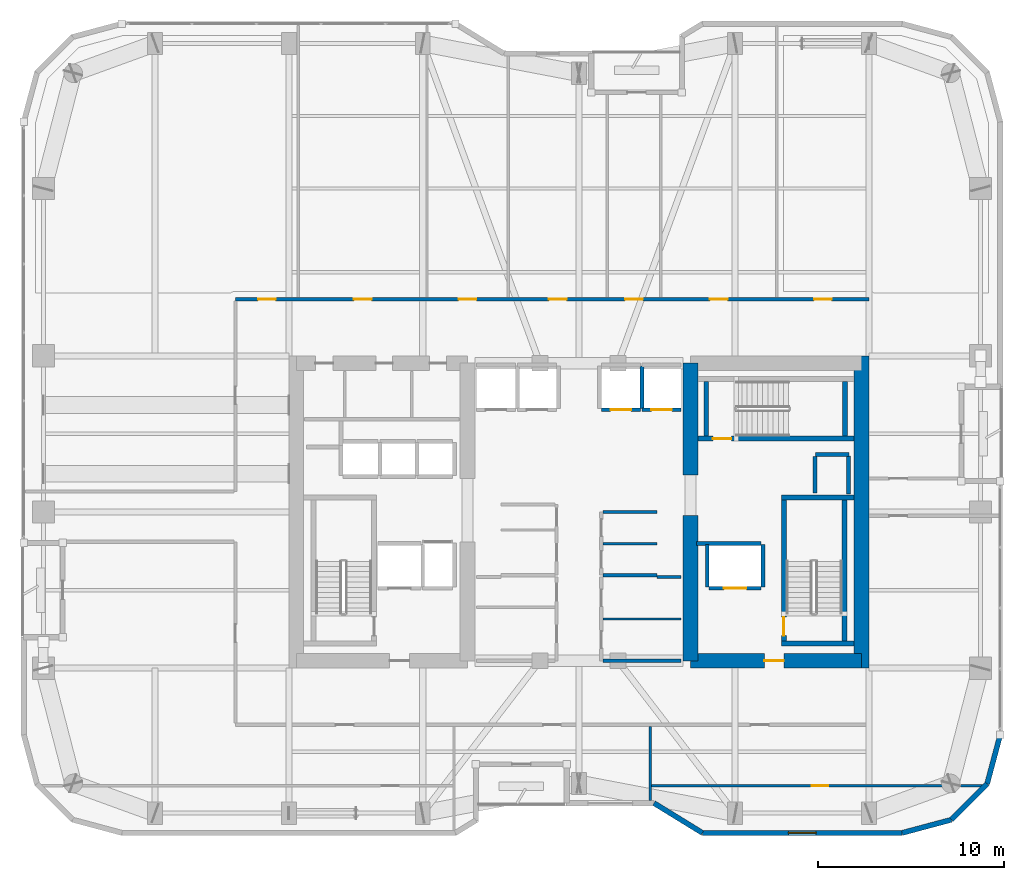
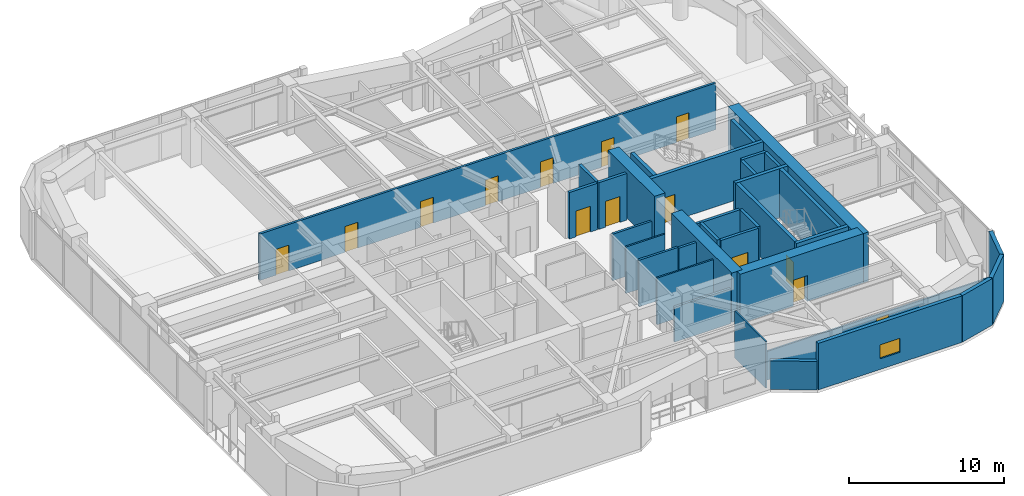
# One storey, part 26 of 30: 35 walls, 14 doors, 1 window, 15 openings.
"""IFC4 building model written with IfcOpenShell, lengths in metres."""

from ifc_helpers import new_model, si_unit, direction, frame, frame_2d, origin, place, context, subcontext, project, spatial, rectangle, extrude, material, layer, layer_set, type_object, element, fill, save


model = new_model("IFC4")

# Units and contexts
model_context = context("Model", 3, precision=1e-05, world=origin(), true_north=direction((0.0, 1.0)))
body_context = subcontext(model_context, "Body", "Model", "MODEL_VIEW")
ifc_project = project(units=[si_unit("LENGTHUNIT", "METRE"), si_unit("AREAUNIT", "SQUARE_METRE"), si_unit("VOLUMEUNIT", "CUBIC_METRE"), si_unit("PLANEANGLEUNIT", "RADIAN"), si_unit("MASSUNIT", "GRAM", prefix="KILO")], contexts=[model_context])

# Site, building, storey
site_placement = place(None, origin())
site = spatial("IfcSite", under=ifc_project, at=site_placement, CompositionType="ELEMENT")
building_placement = place(site_placement, origin())
building = spatial("IfcBuilding", under=site, at=building_placement, Name="Kiyonajd Concourse Tower", CompositionType="ELEMENT")
storey_placement = place(building_placement, frame((0.0, 0.0, 177.89990234375)))
storey = spatial("IfcBuildingStorey", under=building, at=storey_placement, Name="L45", CompositionType="ELEMENT", Elevation=177.89990234375)

# Walls
ifc_material_1 = material(Name="Concrete C70/85", Category="concrete")
ifc_layer_1 = layer(ifc_material_1, 0.800048828125)
ifc_layer_set_1 = layer_set([ifc_layer_1], Name="Concrete C70/85")
wall_type_1 = type_object("IfcWallType", Name="WL-CORE-800", PredefinedType="SHEAR", material=ifc_layer_set_1)
wall_1_placement = place(storey_placement, frame((54.0, 28.0, 0.0), z_axis=(0.0, 0.0, 1.0), x_axis=(0.0, 1.0, 0.0)))
element("IfcWall", 1, at=wall_1_placement, inside=storey, type_object=wall_type_1, Name="L45 East Core Inner South Shear Wall", PredefinedType="SHEAR", context=body_context, shape_type="SweptSolid", body=[
    extrude(rectangle(XDim=7.800048828125, YDim=0.800048828125, at=frame_2d((3.89990234375, 0.0))), origin(), (0.0, 0.0, 1.0), 3.900146484375),
])
wall_2_placement = place(storey_placement, frame((54.0, 38.0, 0.0), z_axis=(0.0, 0.0, 1.0), x_axis=(0.0, 1.0, 0.0)))
element("IfcWall", 2, at=wall_2_placement, inside=storey, type_object=wall_type_1, Name="L45 East Core Inner North Shear Wall", PredefinedType="SHEAR", context=body_context, shape_type="SweptSolid", body=[
    extrude(rectangle(XDim=6.0, YDim=0.800048828125, at=frame_2d((3.0, 0.0))), origin(), (0.0, 0.0, 1.0), 3.900146484375),
])
wall_3_placement = place(storey_placement, frame((63.199951171875, 27.60009765625, 0.0), z_axis=(0.0, 0.0, 1.0), x_axis=(0.0, 1.0, 0.0)))
element("IfcWall", 3, at=wall_3_placement, inside=storey, type_object=wall_type_1, Name="L45 East Core Outer Shear Wall", PredefinedType="SHEAR", context=body_context, shape_type="SweptSolid", body=[
    extrude(rectangle(XDim=16.7998046875, YDim=0.800048828125, at=frame_2d((8.39990234375, 0.0))), origin(), (0.0, 0.0, 1.0), 3.900146484375),
])

# Wall, opening, door
wall_4_placement = place(storey_placement, frame((54.0, 28.0, 0.0), z_axis=(0.0, 0.0, 1.0), x_axis=(1.0, 0.0, 0.0)))
wall_4 = element("IfcWall", 4, at=wall_4_placement, inside=storey, type_object=wall_type_1, Name="L45 East Core South Shear Wall", PredefinedType="SHEAR", context=body_context, shape_type="SweptSolid", body=[
    extrude(rectangle(XDim=9.199951171875, YDim=0.800048828125, at=frame_2d((4.60009765625, 0.0))), origin(), (0.0, 0.0, 1.0), 3.900146484375),
])
opening_1_placement = place(wall_4_placement, frame((3.97509765625, 0.0, 0.0)))
opening_1 = element("IfcOpeningElement", 5, at=opening_1_placement, cuts=wall_4, Name="Opening DF5", PredefinedType="OPENING", context=body_context, shape_type="SweptSolid", body=[
    extrude(rectangle(XDim=1.050048828125, YDim=2.0400390625, at=frame_2d((0.52490234375, 1.02001953125))), frame((0.0, 0.409912109375, 0.0), z_axis=(0.0, -1.0, 0.0), x_axis=(1.0, 0.0, 0.0)), (0.0, 0.0, 1.0), 0.820068359375),
])
ifc_material_2 = material(Name="Brushed Stainless Steel Cab Assembly", Category="steel")
door_type_1 = type_object("IfcDoorType", Name="DR-FD45-1050", OperationType="NOTDEFINED", PredefinedType="DOOR", material=ifc_material_2)
door_1_placement = place(opening_1_placement, origin())
door_1 = element("IfcDoor", 6, at=door_1_placement, inside=storey, type_object=door_type_1, Name="L45 Firefighting Lift Lobby E Smoke Door", OperationType="SINGLE_SWING_RIGHT", OverallHeight=2.0400390625, OverallWidth=1.050048828125, PredefinedType="DOOR", context=body_context, shape_type="SweptSolid", body=[
    extrude(rectangle(XDim=1.050048828125, YDim=2.0400390625, at=frame_2d((0.52490234375, 1.02001953125))), frame((0.0, 0.02490234375, 0.0), z_axis=(0.0, -1.0, 0.0), x_axis=(1.0, 0.0, 0.0)), (0.0, 0.0, 1.0), 0.050048828125),
])
fill(opening_1, door_1)

# Walls
ifc_material_3 = material(Name="Precast concrete C50/60", Category="concrete")
ifc_layer_2 = layer(ifc_material_3, 0.280029296875)
ifc_layer_set_2 = layer_set([ifc_layer_2], Name="Precast concrete C50/60")
wall_type_2 = type_object("IfcWallType", Name="WL-EXT-280", PredefinedType="SOLIDWALL", material=ifc_layer_set_2)
wall_5_placement = place(storey_placement, frame((70.659912109375, 24.018310546875, 0.0), z_axis=(0.0, 0.0, 1.0), x_axis=(-0.258672222976, -0.9659651552, 0.0)))
element("IfcWall", 7, at=wall_5_placement, inside=storey, type_object=wall_type_2, Name="L45 Exterior Concrete Frame Wall 25", PredefinedType="SOLIDWALL", context=body_context, shape_type="SweptSolid", body=[
    extrude(rectangle(XDim=2.739013671875, YDim=0.280029296875, at=frame_2d((1.36962890625, 0.0))), origin(), (0.0, 0.0, 1.0), 3.68017578125),
])
wall_6_placement = place(storey_placement, frame((69.951416015625, 21.37255859375, 0.0), z_axis=(0.0, 0.0, 1.0), x_axis=(-0.707061915429, -0.707151644098, 0.0)))
element("IfcWall", 8, at=wall_6_placement, inside=storey, type_object=wall_type_2, Name="L45 Exterior Concrete Frame Wall 26", PredefinedType="SOLIDWALL", context=body_context, shape_type="SweptSolid", body=[
    extrude(rectangle(XDim=2.720947265625, YDim=0.280029296875, at=frame_2d((1.3603515625, 0.0))), origin(), (0.0, 0.0, 1.0), 3.68017578125),
])
wall_7_placement = place(storey_placement, frame((68.027587890625, 19.448486328125, 0.0), z_axis=(0.0, 0.0, 1.0), x_axis=(-0.965971118627, -0.258649952598, 0.0)))
element("IfcWall", 9, at=wall_7_placement, inside=storey, type_object=wall_type_2, Name="L45 Exterior Concrete Frame Wall 27", PredefinedType="SOLIDWALL", context=body_context, shape_type="SweptSolid", body=[
    extrude(rectangle(XDim=2.7392578125, YDim=0.280029296875, at=frame_2d((1.36962890625, 0.0))), origin(), (0.0, 0.0, 1.0), 3.68017578125),
])

# Wall, opening, window
wall_8_placement = place(storey_placement, frame((65.381591796875, 18.739990234375, 0.0), z_axis=(0.0, 0.0, 1.0), x_axis=(-1.0, 0.0, 0.0)))
wall_8 = element("IfcWall", 10, at=wall_8_placement, inside=storey, type_object=wall_type_2, Name="L45 Exterior Concrete Frame Wall 28", PredefinedType="SOLIDWALL", context=body_context, shape_type="SweptSolid", body=[
    extrude(rectangle(XDim=10.741943359375, YDim=0.280029296875, at=frame_2d((5.37109375, 0.0))), origin(), (0.0, 0.0, 1.0), 3.68017578125),
])
opening_2_placement = place(wall_8_placement, frame((4.62109375, 0.0, 0.85009765625)))
opening_2 = element("IfcOpeningElement", 11, at=opening_2_placement, cuts=wall_8, Name="Opening WN2", PredefinedType="OPENING", context=body_context, shape_type="SweptSolid", body=[
    extrude(rectangle(XDim=1.5, YDim=1.10009765625, at=frame_2d((0.75, 0.550048828125))), frame((0.0, 0.14990234375, 0.0), z_axis=(0.0, -1.0, 0.0), x_axis=(1.0, 0.0, 0.0)), (0.0, 0.0, 1.0), 0.300048828125),
])
ifc_material_4 = material(Name="Double Low-E Insulated Glass", Category="glass")
window_type = type_object("IfcWindowType", Name="WN-VIS-1500x1100", PartitioningType="SINGLE_PANEL", PredefinedType="WINDOW", material=ifc_material_4)
window_placement = place(opening_2_placement, origin())
window = element("IfcWindow", 12, at=window_placement, inside=storey, type_object=window_type, Name="L45 Modular Facade Vision Window 28", OverallHeight=1.10009765625, OverallWidth=1.5, PartitioningType="SINGLE_PANEL", PredefinedType="WINDOW", context=body_context, shape_type="SweptSolid", body=[
    extrude(rectangle(XDim=1.5, YDim=1.10009765625, at=frame_2d((0.75, 0.550048828125))), frame((0.0, 0.030029296875, 0.0), z_axis=(0.0, -1.0, 0.0), x_axis=(1.0, 0.0, 0.0)), (0.0, 0.0, 1.0), 0.06005859375),
])
fill(opening_2, window)

# Walls
wall_9_placement = place(storey_placement, frame((54.6396484375, 18.739990234375, 0.0), z_axis=(0.0, 0.0, 1.0), x_axis=(-0.851652825334, 0.524106349037, 0.0)))
element("IfcWall", 13, at=wall_9_placement, inside=storey, type_object=wall_type_2, Name="L45 Exterior Concrete Frame Wall 29", PredefinedType="SOLIDWALL", context=body_context, shape_type="SweptSolid", body=[
    extrude(rectangle(XDim=3.052978515625, YDim=0.280029296875, at=frame_2d((1.5263671875, 0.0))), origin(), (0.0, 0.0, 1.0), 2.26513671875),
])
ifc_material_5 = material(Name="Gypsum Board on Cold-Formed Steel Stud", Category="steel")
ifc_layer_3 = layer(ifc_material_5, 0.125)
ifc_layer_set_3 = layer_set([ifc_layer_3], Name="Gypsum Board on Cold-Formed Steel Stud")
wall_type_3 = type_object("IfcWallType", Name="WL-PART-125", PredefinedType="PARTITIONING", material=ifc_layer_set_3)
wall_10_placement = place(storey_placement, frame((49.287109375, 34.300048828125, 0.0), z_axis=(0.0, 0.0, 1.0), x_axis=(1.0, 0.0, 0.0)))
element("IfcWall", 14, at=wall_10_placement, inside=storey, type_object=wall_type_3, Name="L45 Interior Partition Wall", PredefinedType="PARTITIONING", context=body_context, shape_type="SweptSolid", body=[
    extrude(rectangle(XDim=2.912841796875, YDim=0.125, at=frame_2d((1.45654296875, 0.0))), origin(), (0.0, 0.0, 1.0), 3.68017578125),
])
wall_11_placement = place(storey_placement, frame((49.287109375, 30.25, 0.0), z_axis=(0.0, 0.0, 1.0), x_axis=(1.0, 0.0, 0.0)))
element("IfcWall", 15, at=wall_11_placement, inside=storey, type_object=wall_type_3, Name="L45 Interior Partition Wall", PredefinedType="PARTITIONING", context=body_context, shape_type="SweptSolid", body=[
    extrude(rectangle(XDim=4.212890625, YDim=0.125, at=frame_2d((2.1064453125, 0.0))), origin(), (0.0, 0.0, 1.0), 3.68017578125),
])

# Wall, opening, door
wall_12_placement = place(storey_placement, frame((51.840087890625, 21.280029296875, 0.0), z_axis=(0.0, 0.0, 1.0), x_axis=(1.0, 0.0, 0.0)))
wall_12 = element("IfcWall", 16, at=wall_12_placement, inside=storey, type_object=wall_type_3, Name="L45 Interior Partition Wall", PredefinedType="PARTITIONING", context=body_context, shape_type="SweptSolid", body=[
    extrude(rectangle(XDim=17.8818359375, YDim=0.125, at=frame_2d((8.94091796875, 0.0))), origin(), (0.0, 0.0, 1.0), 2.26513671875),
])
opening_3_placement = place(wall_12_placement, frame((8.66796875, 0.0, 0.0)))
opening_3 = element("IfcOpeningElement", 17, at=opening_3_placement, cuts=wall_12, Name="Opening DI2", PredefinedType="OPENING", context=body_context, shape_type="SweptSolid", body=[
    extrude(rectangle(XDim=0.89990234375, YDim=2.02001953125, at=frame_2d((0.449951171875, 1.010009765625))), frame((0.0, 0.072509765625, 0.0), z_axis=(0.0, -1.0, 0.0), x_axis=(1.0, 0.0, 0.0)), (0.0, 0.0, 1.0), 0.14501953125),
])
ifc_material_6 = material(Name="Natural Oak Acoustic Timber Veneer", Category="wood")
door_type_2 = type_object("IfcDoorType", Name="DR-INT-900", OperationType="NOTDEFINED", PredefinedType="DOOR", material=ifc_material_6)
door_2_placement = place(opening_3_placement, origin())
door_2 = element("IfcDoor", 18, at=door_2_placement, inside=storey, type_object=door_type_2, Name="L45 Interior Door", OperationType="SINGLE_SWING_LEFT", OverallHeight=2.02001953125, OverallWidth=0.89990234375, PredefinedType="DOOR", context=body_context, shape_type="SweptSolid", body=[
    extrude(rectangle(XDim=0.89990234375, YDim=2.02001953125, at=frame_2d((0.449951171875, 1.010009765625))), frame((0.0, 0.02490234375, 0.0), z_axis=(0.0, -1.0, 0.0), x_axis=(1.0, 0.0, 0.0)), (0.0, 0.0, 1.0), 0.050048828125),
])
fill(opening_3, door_2)

# Walls
wall_13_placement = place(storey_placement, frame((51.840087890625, 20.47509765625, 0.0), z_axis=(0.0, 0.0, 1.0), x_axis=(0.0, 1.0, 0.0)))
element("IfcWall", 19, at=wall_13_placement, inside=storey, type_object=wall_type_3, Name="L45 Interior Partition Wall", PredefinedType="PARTITIONING", context=body_context, shape_type="SweptSolid", body=[
    extrude(rectangle(XDim=3.997802734375, YDim=0.125, at=frame_2d((1.9990234375, 0.0))), origin(), (0.0, 0.0, 1.0), 3.68017578125),
])
ifc_layer_4 = layer(ifc_material_5, 0.2099609375)
ifc_layer_set_4 = layer_set([ifc_layer_4], Name="Gypsum Board on Cold-Formed Steel Stud")
wall_type_4 = type_object("IfcWallType", Name="WL-SHAFT-210", PredefinedType="PARTITIONING", material=ifc_layer_set_4)
wall_14_placement = place(storey_placement, frame((60.719970703125, 39.10009765625, 0.0), z_axis=(0.0, 0.0, 1.0), x_axis=(1.0, 0.0, 0.0)))
element("IfcWall", 20, at=wall_14_placement, inside=storey, type_object=wall_type_4, Name="L45 Shaft Enclosure Wall", PredefinedType="PARTITIONING", context=body_context, shape_type="SweptSolid", body=[
    extrude(rectangle(XDim=1.800048828125, YDim=0.2099609375, at=frame_2d((0.89990234375, 0.0))), origin(), (0.0, 0.0, 1.0), 3.68017578125),
])
wall_15_placement = place(storey_placement, frame((60.699951171875, 37.02001953125, 0.0), z_axis=(0.0, 0.0, 1.0), x_axis=(0.0, 1.0, 0.0)))
element("IfcWall", 21, at=wall_15_placement, inside=storey, type_object=wall_type_4, Name="L45 Shaft Enclosure Wall", PredefinedType="PARTITIONING", context=body_context, shape_type="SweptSolid", body=[
    extrude(rectangle(XDim=1.9599609375, YDim=0.2099609375, at=frame_2d((0.97998046875, 0.0))), origin(), (0.0, 0.0, 1.0), 3.68017578125),
])
wall_16_placement = place(storey_placement, frame((62.5, 36.97998046875, 0.0), z_axis=(0.0, 0.0, 1.0), x_axis=(0.0, 1.0, 0.0)))
element("IfcWall", 22, at=wall_16_placement, inside=storey, type_object=wall_type_4, Name="L45 Shaft Enclosure Wall", PredefinedType="PARTITIONING", context=body_context, shape_type="SweptSolid", body=[
    extrude(rectangle(XDim=2.0400390625, YDim=0.2099609375, at=frame_2d((1.02001953125, 0.0))), origin(), (0.0, 0.0, 1.0), 3.68017578125),
])

# Wall, opening, door
wall_17_placement = place(storey_placement, frame((55.0, 31.89990234375, 0.0), z_axis=(0.0, 0.0, 1.0), x_axis=(1.0, 0.0, 0.0)))
wall_17 = element("IfcWall", 23, at=wall_17_placement, inside=storey, type_object=wall_type_4, Name="L45 Shaft Enclosure Wall", PredefinedType="PARTITIONING", context=body_context, shape_type="SweptSolid", body=[
    extrude(rectangle(XDim=2.800048828125, YDim=0.2099609375, at=frame_2d((1.39990234375, 0.0))), origin(), (0.0, 0.0, 1.0), 3.68017578125),
])
opening_4_placement = place(wall_17_placement, frame((0.800048828125, 0.0, 0.0)))
opening_4 = element("IfcOpeningElement", 24, at=opening_4_placement, cuts=wall_17, Name="Opening LD2", PredefinedType="OPENING", context=body_context, shape_type="SweptSolid", body=[
    extrude(rectangle(XDim=1.199951171875, YDim=2.0400390625, at=frame_2d((0.60009765625, 1.02001953125))), frame((0.0, 0.114990234375, 0.0), z_axis=(0.0, -1.0, 0.0), x_axis=(1.0, 0.0, 0.0)), (0.0, 0.0, 1.0), 0.22998046875),
])
door_type_3 = type_object("IfcDoorType", Name="DR-LD-1200", OperationType="DOUBLE_DOOR_SLIDING", PredefinedType="DOOR", material=ifc_material_2)
door_3_placement = place(opening_4_placement, origin())
door_3 = element("IfcDoor", 25, at=door_3_placement, inside=storey, type_object=door_type_3, Name="L45 Lift FFL2 Sliding Landing Door", OperationType="DOUBLE_DOOR_SLIDING", OverallHeight=2.0400390625, OverallWidth=1.199951171875, PredefinedType="DOOR", context=body_context, shape_type="SweptSolid", body=[
    extrude(rectangle(XDim=1.199951171875, YDim=2.0400390625, at=frame_2d((0.60009765625, 1.02001953125))), frame((0.0, 0.02490234375, 0.0), z_axis=(0.0, -1.0, 0.0), x_axis=(1.0, 0.0, 0.0)), (0.0, 0.0, 1.0), 0.050048828125),
])
fill(opening_4, door_3)

# Walls
wall_18_placement = place(storey_placement, frame((54.320068359375, 34.300048828125, 0.0), z_axis=(0.0, 0.0, 1.0), x_axis=(1.0, 0.0, 0.0)))
element("IfcWall", 26, at=wall_18_placement, inside=storey, type_object=wall_type_4, Name="L45 Shaft Enclosure Wall", PredefinedType="PARTITIONING", context=body_context, shape_type="SweptSolid", body=[
    extrude(rectangle(XDim=3.47998046875, YDim=0.2099609375, at=frame_2d((1.739990234375, 0.0))), origin(), (0.0, 0.0, 1.0), 3.68017578125),
])
for number, where, z_axis, x_axis, name in (
    (27, (54.89990234375, 31.9599609375, 0.0), (0.0, 0.0, 1.0), (0.0, 1.0, 0.0), "L45 Shaft Enclosure Wall"),
    (28, (57.89990234375, 31.9599609375, 0.0), (0.0, 0.0, 1.0), (0.0, 1.0, 0.0), "L45 Shaft Enclosure Wall"),
):
    element("IfcWall", number, at=place(storey_placement, frame(where, z_axis=z_axis, x_axis=x_axis)), inside=storey, type_object=wall_type_4, Name=name, PredefinedType="PARTITIONING", context=body_context, shape_type="SweptSolid", body=[
        extrude(rectangle(XDim=2.280029296875, YDim=0.2099609375, at=frame_2d((1.14013671875, 0.0))), origin(), (0.0, 0.0, 1.0), 3.68017578125),
    ])

# Wall, opening, door
wall_19_placement = place(storey_placement, frame((49.199951171875, 41.5, 0.0), z_axis=(0.0, 0.0, 1.0), x_axis=(1.0, 0.0, 0.0)))
wall_19 = element("IfcWall", 29, at=wall_19_placement, inside=storey, type_object=wall_type_4, Name="L45 Shaft Enclosure Wall", PredefinedType="PARTITIONING", context=body_context, shape_type="SweptSolid", body=[
    extrude(rectangle(XDim=2.10009765625, YDim=0.2099609375, at=frame_2d((1.050048828125, 0.0))), origin(), (0.0, 0.0, 1.0), 3.68017578125),
])
opening_5_placement = place(wall_19_placement, frame((0.5, 0.0, 0.0)))
opening_5 = element("IfcOpeningElement", 30, at=opening_5_placement, cuts=wall_19, Name="Opening LD1", PredefinedType="OPENING", context=body_context, shape_type="SweptSolid", body=[
    extrude(rectangle(XDim=1.10009765625, YDim=2.0400390625, at=frame_2d((0.550048828125, 1.02001953125))), frame((0.0, 0.114990234375, 0.0), z_axis=(0.0, -1.0, 0.0), x_axis=(1.0, 0.0, 0.0)), (0.0, 0.0, 1.0), 0.22998046875),
])
door_type_4 = type_object("IfcDoorType", Name="DR-LD-1100", OperationType="DOUBLE_DOOR_SLIDING", PredefinedType="DOOR", material=ifc_material_2)
door_4_placement = place(opening_5_placement, origin())
door_4 = element("IfcDoor", 31, at=door_4_placement, inside=storey, type_object=door_type_4, Name="L45 Lift PL-M3 Sliding Landing Door", OperationType="DOUBLE_DOOR_SLIDING", OverallHeight=2.0400390625, OverallWidth=1.10009765625, PredefinedType="DOOR", context=body_context, shape_type="SweptSolid", body=[
    extrude(rectangle(XDim=1.10009765625, YDim=2.0400390625, at=frame_2d((0.550048828125, 1.02001953125))), frame((0.0, 0.02490234375, 0.0), z_axis=(0.0, -1.0, 0.0), x_axis=(1.0, 0.0, 0.0)), (0.0, 0.0, 1.0), 0.050048828125),
])
fill(opening_5, door_4)

# Wall
wall_20_placement = place(storey_placement, frame((51.39990234375, 41.56005859375, 0.0), z_axis=(0.0, 0.0, 1.0), x_axis=(0.0, 1.0, 0.0)))
element("IfcWall", 32, at=wall_20_placement, inside=storey, type_object=wall_type_4, Name="L45 Shaft Enclosure Wall", PredefinedType="PARTITIONING", context=body_context, shape_type="SweptSolid", body=[
    extrude(rectangle(XDim=2.280029296875, YDim=0.2099609375, at=frame_2d((1.14013671875, 0.0))), origin(), (0.0, 0.0, 1.0), 3.68017578125),
])

# Wall, opening, door
wall_21_placement = place(storey_placement, frame((51.39990234375, 41.5, 0.0), z_axis=(0.0, 0.0, 1.0), x_axis=(1.0, 0.0, 0.0)))
wall_21 = element("IfcWall", 33, at=wall_21_placement, inside=storey, type_object=wall_type_4, Name="L45 Shaft Enclosure Wall", PredefinedType="PARTITIONING", context=body_context, shape_type="SweptSolid", body=[
    extrude(rectangle(XDim=2.10009765625, YDim=0.2099609375, at=frame_2d((1.050048828125, 0.0))), origin(), (0.0, 0.0, 1.0), 3.68017578125),
])
opening_6_placement = place(wall_21_placement, frame((0.5, 0.0, 0.0)))
opening_6 = element("IfcOpeningElement", 34, at=opening_6_placement, cuts=wall_21, Name="Opening LD1", PredefinedType="OPENING", context=body_context, shape_type="SweptSolid", body=[
    extrude(rectangle(XDim=1.10009765625, YDim=2.0400390625, at=frame_2d((0.550048828125, 1.02001953125))), frame((0.0, 0.114990234375, 0.0), z_axis=(0.0, -1.0, 0.0), x_axis=(1.0, 0.0, 0.0)), (0.0, 0.0, 1.0), 0.22998046875),
])
door_5_placement = place(opening_6_placement, origin())
door_5 = element("IfcDoor", 35, at=door_5_placement, inside=storey, type_object=door_type_4, Name="L45 Lift PL-M4 Sliding Landing Door", OperationType="DOUBLE_DOOR_SLIDING", OverallHeight=2.0400390625, OverallWidth=1.10009765625, PredefinedType="DOOR", context=body_context, shape_type="SweptSolid", body=[
    extrude(rectangle(XDim=1.10009765625, YDim=2.0400390625, at=frame_2d((0.550048828125, 1.02001953125))), frame((0.0, 0.02490234375, 0.0), z_axis=(0.0, -1.0, 0.0), x_axis=(1.0, 0.0, 0.0)), (0.0, 0.0, 1.0), 0.050048828125),
])
fill(opening_6, door_5)

# Walls
ifc_layer_5 = layer(ifc_material_5, 0.169921875)
ifc_layer_set_5 = layer_set([ifc_layer_5], Name="Gypsum Board on Cold-Formed Steel Stud")
wall_type_5 = type_object("IfcWallType", Name="WL-SMK-170", PredefinedType="PARTITIONING", material=ifc_layer_set_5)
for number, where, z_axis, x_axis, name in (
    (36, (49.287109375, 32.60009765625, 0.0), (0.0, 0.0, 1.0), (1.0, 0.0, 0.0), "L45 Interior Partition Wall"),
    (37, (49.287109375, 36.0, 0.0), (0.0, 0.0, 1.0), (1.0, 0.0, 0.0), "L45 Interior Partition Wall"),
):
    element("IfcWall", number, at=place(storey_placement, frame(where, z_axis=z_axis, x_axis=x_axis)), inside=storey, type_object=wall_type_5, Name=name, PredefinedType="PARTITIONING", context=body_context, shape_type="SweptSolid", body=[
        extrude(rectangle(XDim=2.912841796875, YDim=0.169921875, at=frame_2d((1.45654296875, 0.0))), origin(), (0.0, 0.0, 1.0), 3.68017578125),
    ])
wall_22_placement = place(storey_placement, frame((49.287109375, 28.0, 0.0), z_axis=(0.0, 0.0, 1.0), x_axis=(1.0, 0.0, 0.0)))
element("IfcWall", 38, at=wall_22_placement, inside=storey, type_object=wall_type_5, Name="L45 Interior Partition Wall", PredefinedType="PARTITIONING", context=body_context, shape_type="SweptSolid", body=[
    extrude(rectangle(XDim=4.212890625, YDim=0.169921875, at=frame_2d((2.1064453125, 0.0))), origin(), (0.0, 0.0, 1.0), 2.76513671875),
])
wall_23_placement = place(storey_placement, frame((52.199951171875, 32.5, 0.0), z_axis=(0.0, 0.0, 1.0), x_axis=(1.0, 0.0, 0.0)))
element("IfcWall", 39, at=wall_23_placement, inside=storey, type_object=wall_type_5, Name="L45 Interior Partition Wall", PredefinedType="PARTITIONING", context=body_context, shape_type="SweptSolid", body=[
    extrude(rectangle(XDim=1.300048828125, YDim=0.169921875, at=frame_2d((0.64990234375, 0.0))), origin(), (0.0, 0.0, 1.0), 3.68017578125),
])

# Wall, openings, doors
wall_24_placement = place(storey_placement, frame((29.52490234375, 47.43994140625, 0.0), z_axis=(0.0, 0.0, 1.0), x_axis=(1.0, 0.0, 0.0)))
wall_24 = element("IfcWall", 40, at=wall_24_placement, inside=storey, type_object=wall_type_5, Name="L45 Interior Partition Wall", PredefinedType="PARTITIONING", context=body_context, shape_type="SweptSolid", body=[
    extrude(rectangle(XDim=34.0751953125, YDim=0.169921875, at=frame_2d((17.03759765625, 0.0))), origin(), (0.0, 0.0, 1.0), 3.68017578125),
])
opening_7_placement = place(wall_24_placement, frame((1.217041015625, 0.0, 0.0)))
opening_7 = element("IfcOpeningElement", 41, at=opening_7_placement, cuts=wall_24, Name="Opening DI1", PredefinedType="OPENING", context=body_context, shape_type="SweptSolid", body=[
    extrude(rectangle(XDim=0.949951171875, YDim=2.0400390625, at=frame_2d((0.47509765625, 1.02001953125))), frame((0.0, 0.094970703125, 0.0), z_axis=(0.0, -1.0, 0.0), x_axis=(1.0, 0.0, 0.0)), (0.0, 0.0, 1.0), 0.18994140625),
])
opening_8_placement = place(wall_24_placement, frame((6.3701171875, 0.0, 0.0)))
opening_8 = element("IfcOpeningElement", 42, at=opening_8_placement, cuts=wall_24, Name="Opening DI1", PredefinedType="OPENING", context=body_context, shape_type="SweptSolid", body=[
    extrude(rectangle(XDim=0.949951171875, YDim=2.0400390625, at=frame_2d((0.47509765625, 1.02001953125))), frame((0.0, 0.094970703125, 0.0), z_axis=(0.0, -1.0, 0.0), x_axis=(1.0, 0.0, 0.0)), (0.0, 0.0, 1.0), 0.18994140625),
])
opening_9_placement = place(wall_24_placement, frame((12.010009765625, 0.0, 0.0)))
opening_9 = element("IfcOpeningElement", 43, at=opening_9_placement, cuts=wall_24, Name="Opening DI1", PredefinedType="OPENING", context=body_context, shape_type="SweptSolid", body=[
    extrude(rectangle(XDim=0.949951171875, YDim=2.0400390625, at=frame_2d((0.47509765625, 1.02001953125))), frame((0.0, 0.094970703125, 0.0), z_axis=(0.0, -1.0, 0.0), x_axis=(1.0, 0.0, 0.0)), (0.0, 0.0, 1.0), 0.18994140625),
])
opening_10_placement = place(wall_24_placement, frame((16.860107421875, 0.0, 0.0)))
opening_10 = element("IfcOpeningElement", 44, at=opening_10_placement, cuts=wall_24, Name="Opening DI1", PredefinedType="OPENING", context=body_context, shape_type="SweptSolid", body=[
    extrude(rectangle(XDim=0.949951171875, YDim=2.0400390625, at=frame_2d((0.47509765625, 1.02001953125))), frame((0.0, 0.094970703125, 0.0), z_axis=(0.0, -1.0, 0.0), x_axis=(1.0, 0.0, 0.0)), (0.0, 0.0, 1.0), 0.18994140625),
])
opening_11_placement = place(wall_24_placement, frame((20.965087890625, 0.0, 0.0)))
opening_11 = element("IfcOpeningElement", 45, at=opening_11_placement, cuts=wall_24, Name="Opening DI1", PredefinedType="OPENING", context=body_context, shape_type="SweptSolid", body=[
    extrude(rectangle(XDim=0.949951171875, YDim=2.0400390625, at=frame_2d((0.47509765625, 1.02001953125))), frame((0.0, 0.094970703125, 0.0), z_axis=(0.0, -1.0, 0.0), x_axis=(1.0, 0.0, 0.0)), (0.0, 0.0, 1.0), 0.18994140625),
])
opening_12_placement = place(wall_24_placement, frame((25.52001953125, 0.0, 0.0)))
opening_12 = element("IfcOpeningElement", 46, at=opening_12_placement, cuts=wall_24, Name="Opening DI1", PredefinedType="OPENING", context=body_context, shape_type="SweptSolid", body=[
    extrude(rectangle(XDim=0.949951171875, YDim=2.0400390625, at=frame_2d((0.47509765625, 1.02001953125))), frame((0.0, 0.094970703125, 0.0), z_axis=(0.0, -1.0, 0.0), x_axis=(1.0, 0.0, 0.0)), (0.0, 0.0, 1.0), 0.18994140625),
])
opening_13_placement = place(wall_24_placement, frame((31.1201171875, 0.0, 0.0)))
opening_13 = element("IfcOpeningElement", 47, at=opening_13_placement, cuts=wall_24, Name="Opening DI1", PredefinedType="OPENING", context=body_context, shape_type="SweptSolid", body=[
    extrude(rectangle(XDim=0.949951171875, YDim=2.0400390625, at=frame_2d((0.47509765625, 1.02001953125))), frame((0.0, 0.094970703125, 0.0), z_axis=(0.0, -1.0, 0.0), x_axis=(1.0, 0.0, 0.0)), (0.0, 0.0, 1.0), 0.18994140625),
])
door_type_5 = type_object("IfcDoorType", Name="DR-INT-950", OperationType="NOTDEFINED", PredefinedType="DOOR", material=ifc_material_6)
door_6_placement = place(opening_7_placement, origin())
door_6 = element("IfcDoor", 48, at=door_6_placement, inside=storey, type_object=door_type_5, Name="L45 Interior Door", OperationType="SINGLE_SWING_LEFT", OverallHeight=2.0400390625, OverallWidth=0.949951171875, PredefinedType="DOOR", context=body_context, shape_type="SweptSolid", body=[
    extrude(rectangle(XDim=0.949951171875, YDim=2.0400390625, at=frame_2d((0.47509765625, 1.02001953125))), frame((0.0, 0.02490234375, 0.0), z_axis=(0.0, -1.0, 0.0), x_axis=(1.0, 0.0, 0.0)), (0.0, 0.0, 1.0), 0.050048828125),
])
fill(opening_7, door_6)
door_7_placement = place(opening_8_placement, origin())
door_7 = element("IfcDoor", 49, at=door_7_placement, inside=storey, type_object=door_type_5, Name="L45 Interior Door", OperationType="SINGLE_SWING_RIGHT", OverallHeight=2.0400390625, OverallWidth=0.949951171875, PredefinedType="DOOR", context=body_context, shape_type="SweptSolid", body=[
    extrude(rectangle(XDim=0.949951171875, YDim=2.0400390625, at=frame_2d((0.47509765625, 1.02001953125))), frame((0.0, 0.02490234375, 0.0), z_axis=(0.0, -1.0, 0.0), x_axis=(1.0, 0.0, 0.0)), (0.0, 0.0, 1.0), 0.050048828125),
])
fill(opening_8, door_7)
door_8_placement = place(opening_9_placement, origin())
door_8 = element("IfcDoor", 50, at=door_8_placement, inside=storey, type_object=door_type_5, Name="L45 Interior Door", OperationType="SINGLE_SWING_LEFT", OverallHeight=2.0400390625, OverallWidth=0.949951171875, PredefinedType="DOOR", context=body_context, shape_type="SweptSolid", body=[
    extrude(rectangle(XDim=0.949951171875, YDim=2.0400390625, at=frame_2d((0.47509765625, 1.02001953125))), frame((0.0, 0.02490234375, 0.0), z_axis=(0.0, -1.0, 0.0), x_axis=(1.0, 0.0, 0.0)), (0.0, 0.0, 1.0), 0.050048828125),
])
fill(opening_9, door_8)
door_9_placement = place(opening_10_placement, origin())
door_9 = element("IfcDoor", 51, at=door_9_placement, inside=storey, type_object=door_type_5, Name="L45 Interior Door", OperationType="SINGLE_SWING_RIGHT", OverallHeight=2.0400390625, OverallWidth=0.949951171875, PredefinedType="DOOR", context=body_context, shape_type="SweptSolid", body=[
    extrude(rectangle(XDim=0.949951171875, YDim=2.0400390625, at=frame_2d((0.47509765625, 1.02001953125))), frame((0.0, 0.02490234375, 0.0), z_axis=(0.0, -1.0, 0.0), x_axis=(1.0, 0.0, 0.0)), (0.0, 0.0, 1.0), 0.050048828125),
])
fill(opening_10, door_9)
door_10_placement = place(opening_11_placement, origin())
door_10 = element("IfcDoor", 52, at=door_10_placement, inside=storey, type_object=door_type_5, Name="L45 Interior Door", OperationType="SINGLE_SWING_LEFT", OverallHeight=2.0400390625, OverallWidth=0.949951171875, PredefinedType="DOOR", context=body_context, shape_type="SweptSolid", body=[
    extrude(rectangle(XDim=0.949951171875, YDim=2.0400390625, at=frame_2d((0.47509765625, 1.02001953125))), frame((0.0, 0.02490234375, 0.0), z_axis=(0.0, -1.0, 0.0), x_axis=(1.0, 0.0, 0.0)), (0.0, 0.0, 1.0), 0.050048828125),
])
fill(opening_11, door_10)
door_11_placement = place(opening_12_placement, origin())
door_11 = element("IfcDoor", 53, at=door_11_placement, inside=storey, type_object=door_type_5, Name="L45 Interior Door", OperationType="SINGLE_SWING_RIGHT", OverallHeight=2.0400390625, OverallWidth=0.949951171875, PredefinedType="DOOR", context=body_context, shape_type="SweptSolid", body=[
    extrude(rectangle(XDim=0.949951171875, YDim=2.0400390625, at=frame_2d((0.47509765625, 1.02001953125))), frame((0.0, 0.02490234375, 0.0), z_axis=(0.0, -1.0, 0.0), x_axis=(1.0, 0.0, 0.0)), (0.0, 0.0, 1.0), 0.050048828125),
])
fill(opening_12, door_11)
door_12_placement = place(opening_13_placement, origin())
door_12 = element("IfcDoor", 54, at=door_12_placement, inside=storey, type_object=door_type_5, Name="L45 Interior Door", OperationType="SINGLE_SWING_LEFT", OverallHeight=2.0400390625, OverallWidth=0.949951171875, PredefinedType="DOOR", context=body_context, shape_type="SweptSolid", body=[
    extrude(rectangle(XDim=0.949951171875, YDim=2.0400390625, at=frame_2d((0.47509765625, 1.02001953125))), frame((0.0, 0.02490234375, 0.0), z_axis=(0.0, -1.0, 0.0), x_axis=(1.0, 0.0, 0.0)), (0.0, 0.0, 1.0), 0.050048828125),
])
fill(opening_13, door_12)

# Walls
ifc_material_7 = material(Name="Concrete C50/60", Category="concrete")
ifc_layer_6 = layer(ifc_material_7, 0.260009765625)
ifc_layer_set_6 = layer_set([ifc_layer_6], Name="Concrete C50/60")
wall_type_6 = type_object("IfcWallType", Name="WL-STAIR-260", PredefinedType="SHEAR", material=ifc_layer_set_6)
for number, where, z_axis, x_axis, name in (
    (55, (58.889892578125, 28.919921875, 0.0), (0.0, 0.0, 1.0), (1.0, 0.0, 0.0), "L45 Stair ST2 Structural South Wall"),
    (56, (58.889892578125, 36.780029296875, 0.0), (0.0, 0.0, 1.0), (1.0, 0.0, 0.0), "L45 Stair ST2 Structural North Wall"),
):
    element("IfcWall", number, at=place(storey_placement, frame(where, z_axis=z_axis, x_axis=x_axis)), inside=storey, type_object=wall_type_6, Name=name, PredefinedType="SHEAR", context=body_context, shape_type="SweptSolid", body=[
        extrude(rectangle(XDim=3.91015625, YDim=0.260009765625, at=frame_2d((1.955078125, 0.0))), origin(), (0.0, 0.0, 1.0), 3.900146484375),
    ])

# Wall, opening, door
wall_25_placement = place(storey_placement, frame((59.02001953125, 29.050048828125, 0.0), z_axis=(0.0, 0.0, 1.0), x_axis=(0.0, 1.0, 0.0)))
wall_25 = element("IfcWall", 57, at=wall_25_placement, inside=storey, type_object=wall_type_6, Name="L45 Stair ST2 Structural West Wall", PredefinedType="SHEAR", context=body_context, shape_type="SweptSolid", body=[
    extrude(rectangle(XDim=7.599853515625, YDim=0.260009765625, at=frame_2d((3.7998046875, 0.0))), origin(), (0.0, 0.0, 1.0), 3.900146484375),
])
opening_14_placement = place(wall_25_placement, frame((0.300048828125, 0.0, 0.0)))
opening_14 = element("IfcOpeningElement", 58, at=opening_14_placement, cuts=wall_25, Name="Opening DF1", PredefinedType="OPENING", context=body_context, shape_type="SweptSolid", body=[
    extrude(rectangle(XDim=1.0, YDim=2.0400390625, at=frame_2d((0.5, 1.02001953125))), frame((0.0, 0.139892578125, 0.0), z_axis=(0.0, -1.0, 0.0), x_axis=(1.0, 0.0, 0.0)), (0.0, 0.0, 1.0), 0.280029296875),
])
door_type_6 = type_object("IfcDoorType", Name="DR-FD90-1000", OperationType="NOTDEFINED", PredefinedType="DOOR", material=ifc_material_2)
door_13_placement = place(opening_14_placement, origin())
door_13 = element("IfcDoor", 59, at=door_13_placement, inside=storey, type_object=door_type_6, Name="L45 Stair ST2 FSAE Door", OperationType="SINGLE_SWING_RIGHT", OverallHeight=2.0400390625, OverallWidth=1.0, PredefinedType="DOOR", context=body_context, shape_type="SweptSolid", body=[
    extrude(rectangle(XDim=1.0, YDim=2.0400390625, at=frame_2d((0.5, 1.02001953125))), frame((0.0, 0.02490234375, 0.0), z_axis=(0.0, -1.0, 0.0), x_axis=(1.0, 0.0, 0.0)), (0.0, 0.0, 1.0), 0.050048828125),
])
fill(opening_14, door_13)

# Wall
wall_26_placement = place(storey_placement, frame((62.280029296875, 29.050048828125, 0.0), z_axis=(0.0, 0.0, 1.0), x_axis=(0.0, 1.0, 0.0)))
element("IfcWall", 60, at=wall_26_placement, inside=storey, type_object=wall_type_6, Name="L45 Stair ST2 Structural East Wall", PredefinedType="SHEAR", context=body_context, shape_type="SweptSolid", body=[
    extrude(rectangle(XDim=7.599853515625, YDim=0.260009765625, at=frame_2d((3.7998046875, 0.0))), origin(), (0.0, 0.0, 1.0), 3.900146484375),
])

# Wall, opening, door
wall_27_placement = place(storey_placement, frame((54.39990234375, 39.949951171875, 0.0), z_axis=(0.0, 0.0, 1.0), x_axis=(1.0, 0.0, 0.0)))
wall_27 = element("IfcWall", 61, at=wall_27_placement, inside=storey, type_object=wall_type_6, Name="L45 Stair ST3 Structural South Wall", PredefinedType="SHEAR", context=body_context, shape_type="SweptSolid", body=[
    extrude(rectangle(XDim=8.400146484375, YDim=0.260009765625, at=frame_2d((4.2001953125, 0.0))), origin(), (0.0, 0.0, 1.0), 3.900146484375),
])
opening_15_placement = place(wall_27_placement, frame((0.800048828125, 0.0, 0.0)))
opening_15 = element("IfcOpeningElement", 62, at=opening_15_placement, cuts=wall_27, Name="Opening DF1", PredefinedType="OPENING", context=body_context, shape_type="SweptSolid", body=[
    extrude(rectangle(XDim=1.0, YDim=2.0400390625, at=frame_2d((0.5, 1.02001953125))), frame((0.0, 0.139892578125, 0.0), z_axis=(0.0, -1.0, 0.0), x_axis=(1.0, 0.0, 0.0)), (0.0, 0.0, 1.0), 0.280029296875),
])
door_14_placement = place(opening_15_placement, origin())
door_14 = element("IfcDoor", 63, at=door_14_placement, inside=storey, type_object=door_type_6, Name="L45 Stair ST3 Enclosure Door", OperationType="SINGLE_SWING_LEFT", OverallHeight=2.0400390625, OverallWidth=1.0, PredefinedType="DOOR", context=body_context, shape_type="SweptSolid", body=[
    extrude(rectangle(XDim=1.0, YDim=2.0400390625, at=frame_2d((0.5, 1.02001953125))), frame((0.0, 0.02490234375, 0.0), z_axis=(0.0, -1.0, 0.0), x_axis=(1.0, 0.0, 0.0)), (0.0, 0.0, 1.0), 0.050048828125),
])
fill(opening_15, door_14)

# Walls
for number, where, z_axis, x_axis, name in (
    (64, (54.85009765625, 40.080078125, 0.0), (0.0, 0.0, 1.0), (0.0, 1.0, 0.0), "L45 Stair ST3 Structural West Wall"),
    (65, (62.31005859375, 40.080078125, 0.0), (0.0, 0.0, 1.0), (0.0, 1.0, 0.0), "L45 Stair ST3 Structural East Wall"),
):
    element("IfcWall", number, at=place(storey_placement, frame(where, z_axis=z_axis, x_axis=x_axis)), inside=storey, type_object=wall_type_6, Name=name, PredefinedType="SHEAR", context=body_context, shape_type="SweptSolid", body=[
        extrude(rectangle(XDim=2.93994140625, YDim=0.260009765625, at=frame_2d((1.469970703125, 0.0))), origin(), (0.0, 0.0, 1.0), 3.900146484375),
    ])

save(model, "model.ifc")
